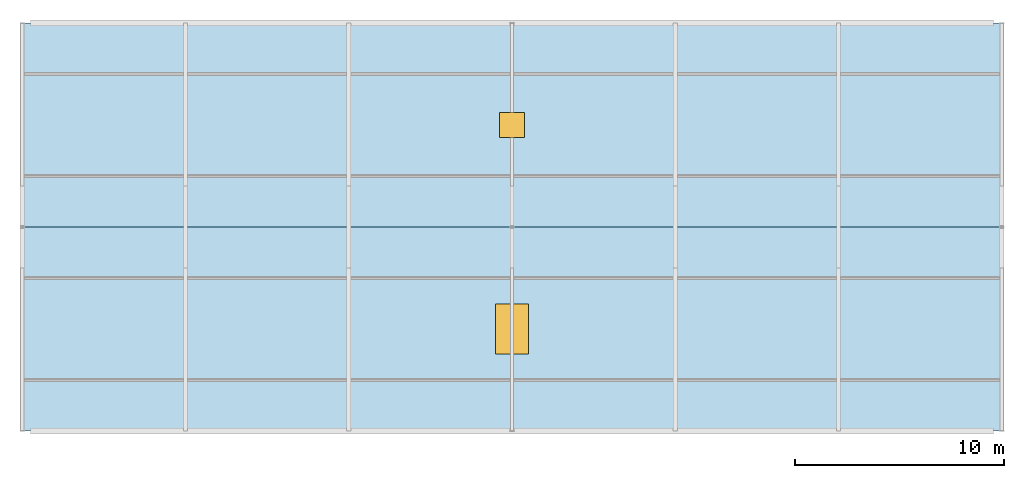
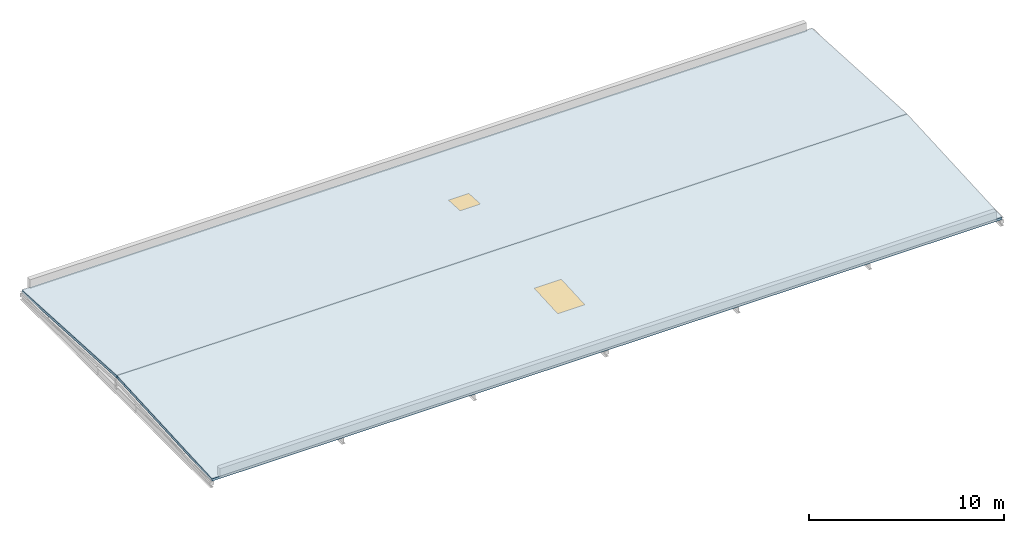
"""IFC4 building model written with IfcOpenShell, lengths in metres."""

from ifc_helpers import new_model, si_unit, direction, frame, origin, origin_2d, place, context, subcontext, project, spatial, polyline, rectangle, outline, extrude, material, layer, layer_set, type_object, element, fill, save


model = new_model("IFC4")

# Units and contexts
model_context = context("Model", 3, precision=1e-05, world=origin(), true_north=direction((0.0, 1.0)))
body_context = subcontext(model_context, "Body", "Model", "MODEL_VIEW")
ifc_project = project(units=[si_unit("LENGTHUNIT", "METRE"), si_unit("AREAUNIT", "SQUARE_METRE"), si_unit("VOLUMEUNIT", "CUBIC_METRE"), si_unit("PLANEANGLEUNIT", "RADIAN"), si_unit("MASSUNIT", "GRAM", prefix="KILO")], contexts=[model_context])

# Site, building, storey
site_placement = place(None, origin())
site = spatial("IfcSite", under=ifc_project, at=site_placement, CompositionType="ELEMENT")
building_placement = place(site_placement, origin())
building = spatial("IfcBuilding", under=site, at=building_placement, Name="Celorna Specialist Clinic", CompositionType="ELEMENT")
storey_1_placement = place(building_placement, frame((0.0, 0.0, 27.300048828125)))
storey_1 = spatial("IfcBuildingStorey", under=building, at=storey_1_placement, Name="RF", CompositionType="ELEMENT", Elevation=27.300048828125)

# Slab, opening
ifc_material_1 = material(Name="Precast concrete C40/50", Category="concrete")
ifc_layer = layer(ifc_material_1, 0.159912109375, Name="Precast concrete C40/50")
ifc_layer_set = layer_set([ifc_layer], Name="Precast concrete C40/50")
slab_type = type_object("IfcSlabType", Name="SL-13", PredefinedType="ROOF", material=ifc_layer_set)
slab_1_placement = place(storey_1_placement, frame((46.800048828125, 96.5, 0.0), z_axis=(0.0, -0.05530385343, 0.998469570791), x_axis=(1.0, 0.0, 0.0)))
slab_1 = element("IfcSlab", 1, at=slab_1_placement, inside=storey_1, type_object=slab_type, Name="Sloped roof slab ROOF-V4-SOUTH", PredefinedType="ROOF", context=body_context, shape_type="SweptSolid", body=[
    extrude(outline(polyline([(0.0, 0.0), (46.800048828125, 0.0), (46.800048828125, 9.764944556372344), (0.0, 9.764944556372344), (0.0, 0.0)])), origin(), (0.0, 0.0, -1.0), 0.159912109375),
])
opening_1_placement = place(slab_1_placement, frame((23.39990234375, 4.882568359375, 0.010009765625)))
opening_1 = element("IfcOpeningElement", 2, at=opening_1_placement, cuts=slab_1, Name="Opening SK-02", PredefinedType="OPENING", context=body_context, shape_type="SweptSolid", body=[
    extrude(rectangle(XDim=1.60009765625, YDim=2.39990234375, at=origin_2d()), origin(), (0.0, 0.0, -1.0), 0.179931640625),
])

# Storey
storey_2_placement = place(building_placement, frame((0.0, 0.0, 23.10009765625)))
storey_2 = spatial("IfcBuildingStorey", under=building, at=storey_2_placement, Name="L05", CompositionType="ELEMENT", Elevation=23.10009765625)

# Window
ifc_material_2 = material(Name="Outpatient atrium skylight lantern")
window_type_1 = type_object("IfcWindowType", Name="SK-02", PartitioningType="SINGLE_PANEL", PredefinedType="SKYLIGHT", material=ifc_material_2)
window_1_placement = place(opening_1_placement, frame((0.0, 0.0, -0.010009765625)))
window_1 = element("IfcWindow", 3, at=window_1_placement, inside=storey_2, type_object=window_type_1, Name="Roof skylight SK-02 on ROOF-V4-SOUTH", OverallHeight=2.39990234375, OverallWidth=1.60009765625, PartitioningType="SINGLE_PANEL", PredefinedType="SKYLIGHT", context=body_context, shape_type="SweptSolid", body=[
    extrude(rectangle(XDim=1.60009765625, YDim=2.39990234375, at=origin_2d()), origin(), (0.0, 0.0, -1.0), 0.050048828125),
])

fill(opening_1, window_1)

# Slab, opening, window
slab_2_placement = place(storey_1_placement, frame((46.800048828125, 106.25, 0.5400390625), z_axis=(0.0, 0.05530385343, 0.998469570791), x_axis=(1.0, 0.0, 0.0)))
slab_2 = element("IfcSlab", 4, at=slab_2_placement, inside=storey_1, type_object=slab_type, Name="Sloped roof slab ROOF-V4-NORTH", PredefinedType="ROOF", context=body_context, shape_type="SweptSolid", body=[
    extrude(outline(polyline([(0.0, 0.0), (46.800048828125, 0.0), (46.800048828125, 9.764944556372344), (0.0, 9.764944556372344), (0.0, 0.0)])), origin(), (0.0, 0.0, -1.0), 0.159912109375),
])
opening_2_placement = place(slab_2_placement, frame((23.39990234375, 4.882568359375, 0.010009765625)))
opening_2 = element("IfcOpeningElement", 5, at=opening_2_placement, cuts=slab_2, Name="Opening SK-04", PredefinedType="OPENING", context=body_context, shape_type="SweptSolid", body=[
    extrude(rectangle(XDim=1.199951171875, YDim=1.199951171875, at=origin_2d()), origin(), (0.0, 0.0, -1.0), 0.179931640625),
])
ifc_material_3 = material(Name="Insulated roof maintenance access skylight hatch")
window_type_2 = type_object("IfcWindowType", Name="SK-04", PartitioningType="SINGLE_PANEL", PredefinedType="SKYLIGHT", material=ifc_material_3)
window_2_placement = place(opening_2_placement, frame((0.0, 0.0, -0.010009765625)))
window_2 = element("IfcWindow", 6, at=window_2_placement, inside=storey_2, type_object=window_type_2, Name="Roof skylight SK-04 on ROOF-V4-NORTH", OverallHeight=1.199951171875, OverallWidth=1.199951171875, PartitioningType="SINGLE_PANEL", PredefinedType="SKYLIGHT", context=body_context, shape_type="SweptSolid", body=[
    extrude(rectangle(XDim=1.199951171875, YDim=1.199951171875, at=origin_2d()), origin(), (0.0, 0.0, -1.0), 0.050048828125),
])
fill(opening_2, window_2)

save(model, "model.ifc")
